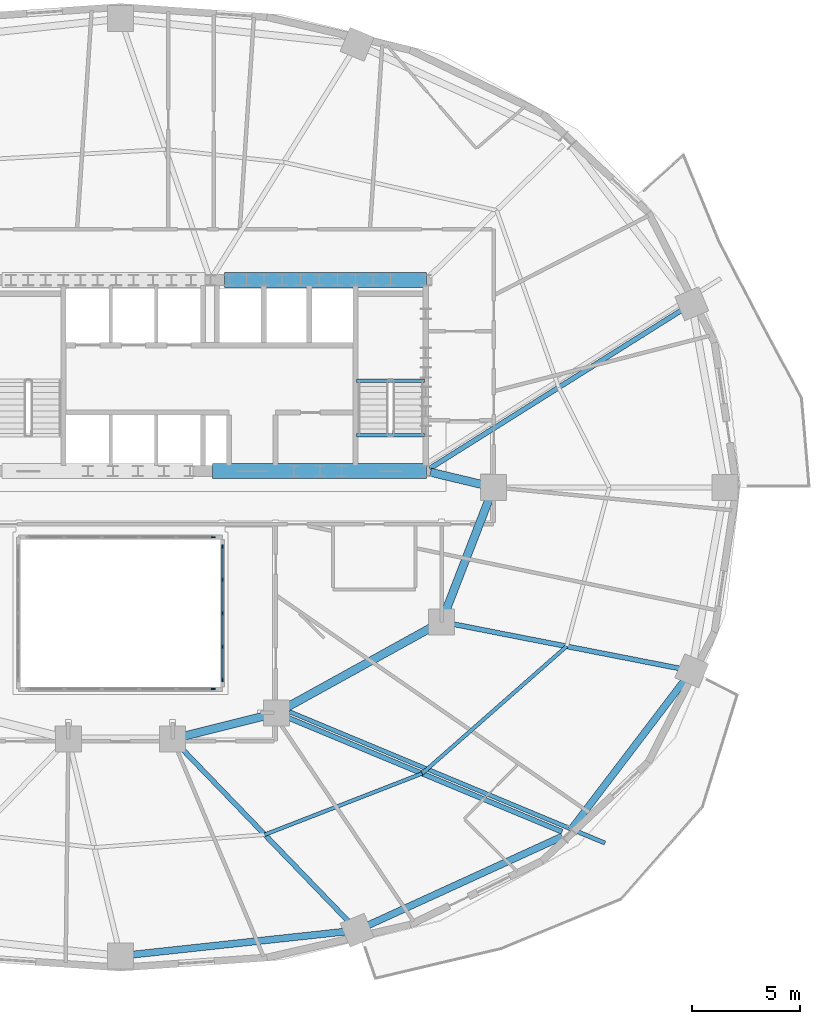
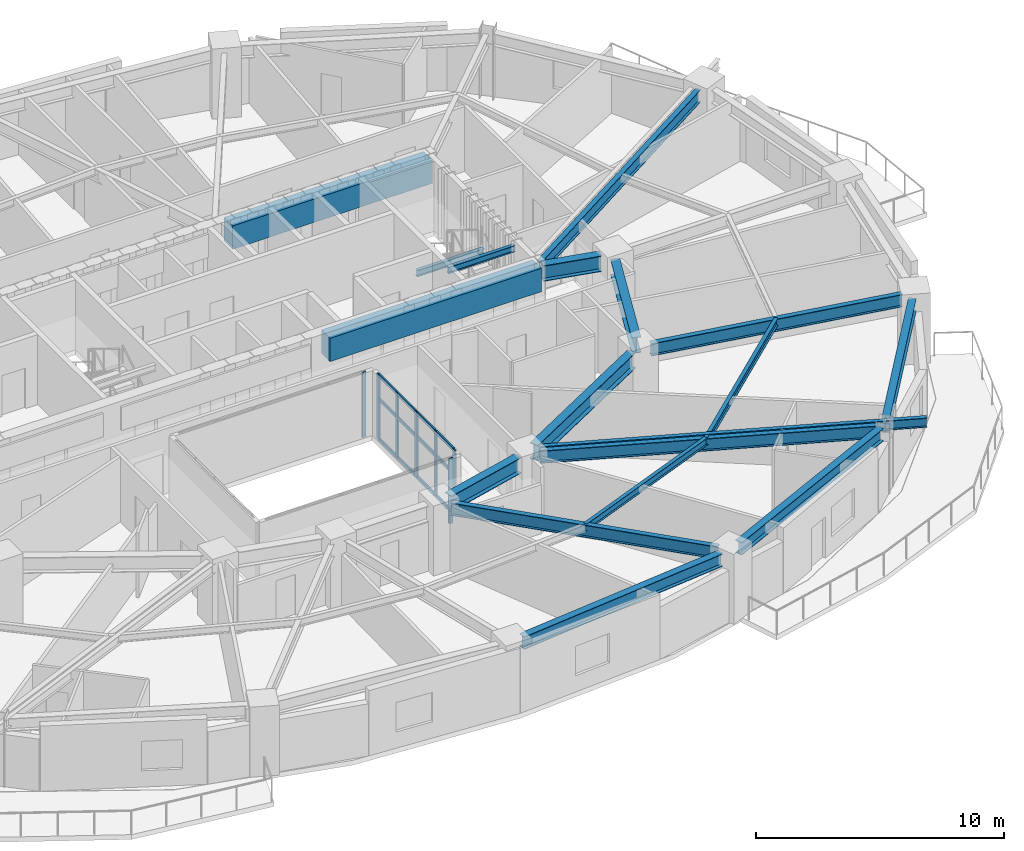
# One storey, part 4 of 14: 19 members, 18 beams, 3 elements without a shape of their own.
"""IFC4 building model written with IfcOpenShell, lengths in metres."""

from ifc_helpers import new_model, si_unit, direction, frame, origin, origin_2d, place, context, subcontext, project, spatial, rectangle, i_section, extrude, material, material_profile, profile_set, type_object, element, aggregate, save


model = new_model("IFC4")

# Units and contexts
model_context = context("Model", 3, precision=1e-05, world=origin(), true_north=direction((0.0, 1.0)))
body_context = subcontext(model_context, "Body", "Model", "MODEL_VIEW")
ifc_project = project(units=[si_unit("LENGTHUNIT", "METRE"), si_unit("AREAUNIT", "SQUARE_METRE"), si_unit("VOLUMEUNIT", "CUBIC_METRE"), si_unit("PLANEANGLEUNIT", "RADIAN"), si_unit("MASSUNIT", "GRAM", prefix="KILO")], contexts=[model_context])

# Site, building, storey
site_placement = place(None, origin())
site = spatial("IfcSite", under=ifc_project, at=site_placement, CompositionType="ELEMENT")
building_placement = place(site_placement, origin())
building = spatial("IfcBuilding", under=site, at=building_placement, Name="Haldorwick Loom Tower", CompositionType="ELEMENT")
storey_placement = place(building_placement, frame((0.0, 0.0, 99.050048828125)))
storey = spatial("IfcBuildingStorey", under=building, at=storey_placement, Name="L26", CompositionType="ELEMENT", Elevation=99.050048828125)

# Curtain wall, member
ifc_material_1 = material(Name="Thermally Broken Anodized Aluminium Curtain Wall Framing", Category="aluminium")
curtain_wall_type = type_object("IfcCurtainWallType", Name="ARC-CW-03", PredefinedType="NOTDEFINED", material=ifc_material_1)
curtain_wall_1_placement = place(storey_placement, origin())
curtain_wall_1 = element("IfcCurtainWall", 1, at=curtain_wall_1_placement, inside=storey, type_object=curtain_wall_type, Name="L26 Atrium Glazed Screen S", PredefinedType="NOTDEFINED")
ifc_material_profile_1 = material_profile(ifc_material_1, rectangle(XDim=0.06591796875, YDim=0.18505859375, at=origin_2d()), Name="ALU_MUL_66X185", Category="aluminium")
ifc_profile_set_1 = profile_set([ifc_material_profile_1], Name="Thermally Broken Anodized Aluminium Curtain Wall Framing")
member_type_1 = type_object("IfcMemberType", Name="ARC-CWM-03", PredefinedType="MULLION", material=ifc_profile_set_1)
member_1_placement = place(storey_placement, frame((40.26708984375, 16.699951171875, 0.0), z_axis=(0.0, 0.0, 1.0), x_axis=(0.0, -1.0, 0.0)))
member_1 = element("IfcMember", 2, at=member_1_placement, type_object=member_type_1, Name="CW-03 mullion 1", PredefinedType="MULLION", context=body_context, shape_type="SweptSolid", body=[
    extrude(rectangle(XDim=0.06591796875, YDim=0.18505859375, at=origin_2d()), origin(), (0.0, 0.0, 1.0), 3.2099609375),
])
aggregate(curtain_wall_1, [member_1])

curtain_wall_2_placement = place(storey_placement, origin())
curtain_wall_2 = element("IfcCurtainWall", 3, at=curtain_wall_2_placement, inside=storey, type_object=curtain_wall_type, Name="L26 Atrium Glazed Screen N", PredefinedType="NOTDEFINED")
member_2_placement = place(storey_placement, frame((40.26708984375, 23.699951171875, 0.0), z_axis=(0.0, 0.0, 1.0), x_axis=(0.0, 1.0, 0.0)))
member_2 = element("IfcMember", 4, at=member_2_placement, type_object=member_type_1, Name="CW-03 mullion 6", PredefinedType="MULLION", context=body_context, shape_type="SweptSolid", body=[
    extrude(rectangle(XDim=0.06591796875, YDim=0.18505859375, at=origin_2d()), origin(), (0.0, 0.0, 1.0), 3.2099609375),
])
aggregate(curtain_wall_2, [member_2])

# Curtain wall, members
curtain_wall_3_placement = place(storey_placement, origin())
curtain_wall_3 = element("IfcCurtainWall", 5, at=curtain_wall_3_placement, inside=storey, type_object=curtain_wall_type, Name="L26 Atrium Glazed Screen E", PredefinedType="NOTDEFINED")
member_3_placement = place(storey_placement, frame((40.699951171875, 23.26708984375, 0.0), z_axis=(0.0, 0.0, 1.0), x_axis=(1.0, 0.0, 0.0)))
member_3 = element("IfcMember", 6, at=member_3_placement, type_object=member_type_1, Name="CW-03 mullion 1", PredefinedType="MULLION", context=body_context, shape_type="SweptSolid", body=[
    extrude(rectangle(XDim=0.06591796875, YDim=0.18505859375, at=origin_2d()), origin(), (0.0, 0.0, 1.0), 3.2099609375),
])
member_4_placement = place(storey_placement, frame((40.699951171875, 21.75, 0.0), z_axis=(0.0, 0.0, 1.0), x_axis=(1.0, 0.0, 0.0)))
member_4 = element("IfcMember", 7, at=member_4_placement, type_object=member_type_1, Name="CW-03 mullion 2", PredefinedType="MULLION", context=body_context, shape_type="SweptSolid", body=[
    extrude(rectangle(XDim=0.06591796875, YDim=0.18505859375, at=origin_2d()), origin(), (0.0, 0.0, 1.0), 3.2099609375),
])
member_5_placement = place(storey_placement, frame((40.699951171875, 20.199951171875, 0.0), z_axis=(0.0, 0.0, 1.0), x_axis=(1.0, 0.0, 0.0)))
member_5 = element("IfcMember", 8, at=member_5_placement, type_object=member_type_1, Name="CW-03 mullion 3", PredefinedType="MULLION", context=body_context, shape_type="SweptSolid", body=[
    extrude(rectangle(XDim=0.06591796875, YDim=0.18505859375, at=origin_2d()), origin(), (0.0, 0.0, 1.0), 3.2099609375),
])
member_6_placement = place(storey_placement, frame((40.699951171875, 18.64990234375, 0.0), z_axis=(0.0, 0.0, 1.0), x_axis=(1.0, 0.0, 0.0)))
member_6 = element("IfcMember", 9, at=member_6_placement, type_object=member_type_1, Name="CW-03 mullion 4", PredefinedType="MULLION", context=body_context, shape_type="SweptSolid", body=[
    extrude(rectangle(XDim=0.06591796875, YDim=0.18505859375, at=origin_2d()), origin(), (0.0, 0.0, 1.0), 3.2099609375),
])
member_7_placement = place(storey_placement, frame((40.699951171875, 17.133056640625, 0.0), z_axis=(0.0, 0.0, 1.0), x_axis=(1.0, 0.0, 0.0)))
member_7 = element("IfcMember", 10, at=member_7_placement, type_object=member_type_1, Name="CW-03 mullion 5", PredefinedType="MULLION", context=body_context, shape_type="SweptSolid", body=[
    extrude(rectangle(XDim=0.06591796875, YDim=0.18505859375, at=origin_2d()), origin(), (0.0, 0.0, 1.0), 3.2099609375),
])
ifc_material_profile_2 = material_profile(ifc_material_1, rectangle(XDim=0.06591796875, YDim=0.1650390625, at=origin_2d()), Name="ALU_TRN_66X165", Category="aluminium")
ifc_profile_set_2 = profile_set([ifc_material_profile_2], Name="Thermally Broken Anodized Aluminium Curtain Wall Framing")
member_type_2 = type_object("IfcMemberType", Name="ARC-CWT-03", PredefinedType="USERDEFINED", material=ifc_profile_set_2)
member_8_placement = place(storey_placement, frame((40.699951171875, 23.23388671875, 0.032958984375), z_axis=(0.0, -1.0, 0.0), x_axis=(1.0, 0.0, 0.0)))
member_8 = element("IfcMember", 11, at=member_8_placement, type_object=member_type_2, Name="CW-03 transom 1.1", ObjectType="TRANSOM", PredefinedType="USERDEFINED", context=body_context, shape_type="SweptSolid", body=[
    extrude(rectangle(XDim=0.06591796875, YDim=0.1650390625, at=origin_2d()), origin(), (0.0, 0.0, 1.0), 1.450927734375),
])
member_9_placement = place(storey_placement, frame((40.699951171875, 23.23388671875, 2.0), z_axis=(0.0, -1.0, 0.0), x_axis=(1.0, 0.0, 0.0)))
member_9 = element("IfcMember", 12, at=member_9_placement, type_object=member_type_2, Name="CW-03 transom 1.2", ObjectType="TRANSOM", PredefinedType="USERDEFINED", context=body_context, shape_type="SweptSolid", body=[
    extrude(rectangle(XDim=0.06591796875, YDim=0.1650390625, at=origin_2d()), origin(), (0.0, 0.0, 1.0), 1.450927734375),
])
member_10_placement = place(storey_placement, frame((40.699951171875, 23.23388671875, 3.177001953125), z_axis=(0.0, -1.0, 0.0), x_axis=(1.0, 0.0, 0.0)))
member_10 = element("IfcMember", 13, at=member_10_placement, type_object=member_type_2, Name="CW-03 transom 1.3", ObjectType="TRANSOM", PredefinedType="USERDEFINED", context=body_context, shape_type="SweptSolid", body=[
    extrude(rectangle(XDim=0.06591796875, YDim=0.1650390625, at=origin_2d()), origin(), (0.0, 0.0, 1.0), 1.450927734375),
])
member_11_placement = place(storey_placement, frame((40.699951171875, 21.717041015625, 0.032958984375), z_axis=(0.0, -1.0, 0.0), x_axis=(1.0, 0.0, 0.0)))
member_11 = element("IfcMember", 14, at=member_11_placement, type_object=member_type_2, Name="CW-03 transom 2.1", ObjectType="TRANSOM", PredefinedType="USERDEFINED", context=body_context, shape_type="SweptSolid", body=[
    extrude(rectangle(XDim=0.06591796875, YDim=0.1650390625, at=origin_2d()), origin(), (0.0, 0.0, 1.0), 1.484130859375),
])
member_12_placement = place(storey_placement, frame((40.699951171875, 21.717041015625, 2.0), z_axis=(0.0, -1.0, 0.0), x_axis=(1.0, 0.0, 0.0)))
member_12 = element("IfcMember", 15, at=member_12_placement, type_object=member_type_2, Name="CW-03 transom 2.2", ObjectType="TRANSOM", PredefinedType="USERDEFINED", context=body_context, shape_type="SweptSolid", body=[
    extrude(rectangle(XDim=0.06591796875, YDim=0.1650390625, at=origin_2d()), origin(), (0.0, 0.0, 1.0), 1.484130859375),
])
member_13_placement = place(storey_placement, frame((40.699951171875, 21.717041015625, 3.177001953125), z_axis=(0.0, -1.0, 0.0), x_axis=(1.0, 0.0, 0.0)))
member_13 = element("IfcMember", 16, at=member_13_placement, type_object=member_type_2, Name="CW-03 transom 2.3", ObjectType="TRANSOM", PredefinedType="USERDEFINED", context=body_context, shape_type="SweptSolid", body=[
    extrude(rectangle(XDim=0.06591796875, YDim=0.1650390625, at=origin_2d()), origin(), (0.0, 0.0, 1.0), 1.484130859375),
])
member_14_placement = place(storey_placement, frame((40.699951171875, 20.1669921875, 0.032958984375), z_axis=(0.0, -1.0, 0.0), x_axis=(1.0, 0.0, 0.0)))
member_14 = element("IfcMember", 17, at=member_14_placement, type_object=member_type_2, Name="CW-03 transom 3.1", ObjectType="TRANSOM", PredefinedType="USERDEFINED", context=body_context, shape_type="SweptSolid", body=[
    extrude(rectangle(XDim=0.06591796875, YDim=0.1650390625, at=origin_2d()), origin(), (0.0, 0.0, 1.0), 1.48388671875),
])
member_15_placement = place(storey_placement, frame((40.699951171875, 20.1669921875, 2.0), z_axis=(0.0, -1.0, 0.0), x_axis=(1.0, 0.0, 0.0)))
member_15 = element("IfcMember", 18, at=member_15_placement, type_object=member_type_2, Name="CW-03 transom 3.2", ObjectType="TRANSOM", PredefinedType="USERDEFINED", context=body_context, shape_type="SweptSolid", body=[
    extrude(rectangle(XDim=0.06591796875, YDim=0.1650390625, at=origin_2d()), origin(), (0.0, 0.0, 1.0), 1.48388671875),
])
member_16_placement = place(storey_placement, frame((40.699951171875, 20.1669921875, 3.177001953125), z_axis=(0.0, -1.0, 0.0), x_axis=(1.0, 0.0, 0.0)))
member_16 = element("IfcMember", 19, at=member_16_placement, type_object=member_type_2, Name="CW-03 transom 3.3", ObjectType="TRANSOM", PredefinedType="USERDEFINED", context=body_context, shape_type="SweptSolid", body=[
    extrude(rectangle(XDim=0.06591796875, YDim=0.1650390625, at=origin_2d()), origin(), (0.0, 0.0, 1.0), 1.48388671875),
])
member_17_placement = place(storey_placement, frame((40.699951171875, 18.616943359375, 0.032958984375), z_axis=(0.0, -1.0, 0.0), x_axis=(1.0, 0.0, 0.0)))
member_17 = element("IfcMember", 20, at=member_17_placement, type_object=member_type_2, Name="CW-03 transom 4.1", ObjectType="TRANSOM", PredefinedType="USERDEFINED", context=body_context, shape_type="SweptSolid", body=[
    extrude(rectangle(XDim=0.06591796875, YDim=0.1650390625, at=origin_2d()), origin(), (0.0, 0.0, 1.0), 1.450927734375),
])
member_18_placement = place(storey_placement, frame((40.699951171875, 18.616943359375, 2.0), z_axis=(0.0, -1.0, 0.0), x_axis=(1.0, 0.0, 0.0)))
member_18 = element("IfcMember", 21, at=member_18_placement, type_object=member_type_2, Name="CW-03 transom 4.2", ObjectType="TRANSOM", PredefinedType="USERDEFINED", context=body_context, shape_type="SweptSolid", body=[
    extrude(rectangle(XDim=0.06591796875, YDim=0.1650390625, at=origin_2d()), origin(), (0.0, 0.0, 1.0), 1.450927734375),
])
member_19_placement = place(storey_placement, frame((40.699951171875, 18.616943359375, 3.177001953125), z_axis=(0.0, -1.0, 0.0), x_axis=(1.0, 0.0, 0.0)))
member_19 = element("IfcMember", 22, at=member_19_placement, type_object=member_type_2, Name="CW-03 transom 4.3", ObjectType="TRANSOM", PredefinedType="USERDEFINED", context=body_context, shape_type="SweptSolid", body=[
    extrude(rectangle(XDim=0.06591796875, YDim=0.1650390625, at=origin_2d()), origin(), (0.0, 0.0, 1.0), 1.450927734375),
])
aggregate(curtain_wall_3, [member_3, member_4, member_5, member_6, member_7, member_8, member_9, member_10, member_11, member_12, member_13, member_14, member_15, member_16, member_17, member_18, member_19])

# Beams
ifc_material_2 = material(Name="Steel CSA G40.21 350W", Category="steel")
ifc_material_profile_3 = material_profile(ifc_material_2, i_section(OverallWidth=0.193115234375, OverallDepth=0.466064453125, WebThickness=0.011474609375, FlangeThickness=0.01904296875, at=origin_2d()), Name="W460X97", Category="steel")
ifc_profile_set_3 = profile_set([ifc_material_profile_3], Name="Steel CSA G40.21 350W")
beam_type_1 = type_object("IfcBeamType", Name="STR-BM-BAL460", PredefinedType="BEAM", material=ifc_profile_set_3)
beam_1_placement = place(storey_placement, frame((43.78759765625, 15.65869140625, 2.97705078125), z_axis=(0.923187850755, -0.384349049976, 0.0), x_axis=(0.384349049976, 0.923187850755, 0.0)))
element("IfcBeam", 23, at=beam_1_placement, inside=storey, type_object=beam_type_1, Name="L26 Continuous Back-Spanned Balcony Beam 1", PredefinedType="BEAM", context=body_context, shape_type="SweptSolid", body=[
    extrude(i_section(OverallWidth=0.193115234375, OverallDepth=0.466064453125, WebThickness=0.011474609375, FlangeThickness=0.01904296875, at=origin_2d()), origin(), (0.0, 0.0, 1.0), 15.75244140625),
])
ifc_material_3 = material(Name="Concrete C60 (60 MPa)", Category="concrete")
ifc_material_profile_4 = material_profile(ifc_material_3, rectangle(XDim=0.699951171875, YDim=1.14990234375, at=origin_2d()), Name="RC700X1150", Category="concrete")
ifc_profile_set_4 = profile_set([ifc_material_profile_4], Name="Concrete C60 (60 MPa)")
beam_type_2 = type_object("IfcBeamType", Name="STR-BM-CB1150", PredefinedType="LINTEL", material=ifc_profile_set_4)
beam_2_placement = place(storey_placement, frame((40.800048828125, 35.550048828125, 2.635009765625), z_axis=(1.0, 0.0, 0.0), x_axis=(0.0, 1.0, 0.0)))
element("IfcBeam", 24, at=beam_2_placement, inside=storey, type_object=beam_type_2, Name="L26 Core Coupling Beam CB-N3", PredefinedType="LINTEL", context=body_context, shape_type="SweptSolid", body=[
    extrude(rectangle(XDim=0.699951171875, YDim=1.14990234375, at=origin_2d()), origin(), (0.0, 0.0, 1.0), 9.300048828125),
])
beam_3_placement = place(storey_placement, frame((40.25, 26.75, 2.635009765625), z_axis=(1.0, 0.0, 0.0), x_axis=(0.0, 1.0, 0.0)))
element("IfcBeam", 25, at=beam_3_placement, inside=storey, type_object=beam_type_2, Name="L26 Core Coupling Beam CB-S3", PredefinedType="LINTEL", context=body_context, shape_type="SweptSolid", body=[
    extrude(rectangle(XDim=0.699951171875, YDim=1.14990234375, at=origin_2d()), origin(), (0.0, 0.0, 1.0), 9.85009765625),
])
ifc_material_profile_5 = material_profile(ifc_material_2, i_section(OverallWidth=0.172119140625, OverallDepth=0.35791015625, WebThickness=0.0078125, FlangeThickness=0.01318359375, at=origin_2d()), Name="W360X57", Category="steel")
ifc_profile_set_5 = profile_set([ifc_material_profile_5], Name="Steel CSA G40.21 350W")
beam_type_3 = type_object("IfcBeamType", Name="STR-BM-J360", PredefinedType="JOIST", material=ifc_profile_set_5)
beam_4_placement = place(storey_placement, frame((42.6533203125, 9.9912109375, 3.031005859375), z_axis=(0.932072983051, 0.362270553959, 0.0), x_axis=(-0.362270553959, 0.932072983051, 0.0)))
element("IfcBeam", 26, at=beam_4_placement, inside=storey, type_object=beam_type_3, Name="L26 Mid-Bay Secondary Joist 14", PredefinedType="JOIST", context=body_context, shape_type="SweptSolid", body=[
    extrude(i_section(OverallWidth=0.172119140625, OverallDepth=0.35791015625, WebThickness=0.0078125, FlangeThickness=0.01318359375, at=origin_2d()), origin(), (0.0, 0.0, 1.0), 7.7783203125),
])
beam_5_placement = place(storey_placement, frame((49.9033203125, 12.80908203125, 3.031005859375), z_axis=(0.750721157729, 0.660619212057, 0.0), x_axis=(-0.660619212057, 0.750721157729, 0.0)))
element("IfcBeam", 27, at=beam_5_placement, inside=storey, type_object=beam_type_3, Name="L26 Mid-Bay Secondary Joist 15", PredefinedType="JOIST", context=body_context, shape_type="SweptSolid", body=[
    extrude(i_section(OverallWidth=0.172119140625, OverallDepth=0.35791015625, WebThickness=0.0078125, FlangeThickness=0.01318359375, at=origin_2d()), origin(), (0.0, 0.0, 1.0), 8.8740234375),
])
ifc_material_profile_6 = material_profile(ifc_material_2, i_section(OverallWidth=0.324951171875, OverallDepth=0.615966796875, WebThickness=0.013916015625, FlangeThickness=0.021484375, at=origin_2d()), Name="W610X174", Category="steel")
ifc_profile_set_6 = profile_set([ifc_material_profile_6], Name="Steel CSA G40.21 350W")
beam_type_4 = type_object("IfcBeamType", Name="STR-BM-SP610", PredefinedType="SPANDREL", material=ifc_profile_set_6)
beam_6_placement = place(storey_placement, frame((36.51708984375, 4.45751953125, 2.90185546875), z_axis=(0.994190135627, 0.107638163409, 0.0), x_axis=(-0.107638163409, 0.994190135627, 0.0)))
element("IfcBeam", 28, at=beam_6_placement, inside=storey, type_object=beam_type_4, Name="L26 Perimeter Spandrel 13", PredefinedType="SPANDREL", context=body_context, shape_type="SweptSolid", body=[
    extrude(i_section(OverallWidth=0.324951171875, OverallDepth=0.615966796875, WebThickness=0.013916015625, FlangeThickness=0.021484375, at=origin_2d()), origin(), (0.0, 0.0, 1.0), 9.929931640625),
])
beam_7_placement = place(storey_placement, frame((47.37939453125, 5.798583984375, 2.90185546875), z_axis=(0.909423969306, 0.415870225011, 0.0), x_axis=(-0.415870225011, 0.909423969306, 0.0)))
element("IfcBeam", 29, at=beam_7_placement, inside=storey, type_object=beam_type_4, Name="L26 Perimeter Spandrel 14", PredefinedType="SPANDREL", context=body_context, shape_type="SweptSolid", body=[
    extrude(i_section(OverallWidth=0.324951171875, OverallDepth=0.615966796875, WebThickness=0.013916015625, FlangeThickness=0.021484375, at=origin_2d()), origin(), (0.0, 0.0, 1.0), 9.871337890625),
])
beam_8_placement = place(storey_placement, frame((56.773193359375, 10.2373046875, 2.90185546875), z_axis=(0.605453508047, 0.795880675475, 0.0), x_axis=(-0.795880675475, 0.605453508047, 0.0)))
element("IfcBeam", 30, at=beam_8_placement, inside=storey, type_object=beam_type_4, Name="L26 Perimeter Spandrel 15", PredefinedType="SPANDREL", context=body_context, shape_type="SweptSolid", body=[
    extrude(i_section(OverallWidth=0.324951171875, OverallDepth=0.615966796875, WebThickness=0.013916015625, FlangeThickness=0.021484375, at=origin_2d()), origin(), (0.0, 0.0, 1.0), 8.6591796875),
])
ifc_material_profile_7 = material_profile(ifc_material_2, i_section(OverallWidth=0.166015625, OverallDepth=0.31298828125, WebThickness=0.006591796875, FlangeThickness=0.01123046875, at=origin_2d()), Name="W310X45", Category="steel")
ifc_profile_set_7 = profile_set([ifc_material_profile_7], Name="Steel CSA G40.21 350W")
beam_type_5 = type_object("IfcBeamType", Name="STR-BM-STRM", PredefinedType="BEAM", material=ifc_profile_set_7)
for number, where, z_axis, x_axis, name in (
    (31, (46.889892578125, 28.39990234375, 3.053466796875), (1.0, 0.0, 0.0), (0.0, 1.0, 0.0), "L26 Stair ST-02 Landing Edge Trimmer"),
    (32, (46.889892578125, 30.919921875, 1.368408203125), (1.0, 0.0, 0.0), (0.0, 1.0, 0.0), "L26 Stair ST-02 Half-Landing Trimmer 1"),
):
    element("IfcBeam", number, at=place(storey_placement, frame(where, z_axis=z_axis, x_axis=x_axis)), inside=storey, type_object=beam_type_5, Name=name, PredefinedType="BEAM", context=body_context, shape_type="SweptSolid", body=[
        extrude(i_section(OverallWidth=0.166015625, OverallDepth=0.31298828125, WebThickness=0.006591796875, FlangeThickness=0.01123046875, at=origin_2d()), origin(), (0.0, 0.0, 1.0), 3.1201171875),
    ])
ifc_material_profile_8 = material_profile(ifc_material_2, i_section(OverallWidth=0.22998046875, OverallDepth=0.616943359375, WebThickness=0.01318359375, FlangeThickness=0.022216796875, at=origin_2d()), Name="W610X140", Category="steel")
ifc_profile_set_8 = profile_set([ifc_material_profile_8], Name="Steel CSA G40.21 350W")
beam_type_6 = type_object("IfcBeamType", Name="STR-BM-W610B", PredefinedType="BEAM", material=ifc_profile_set_8)
beam_9_placement = place(storey_placement, frame((50.260498046875, 26.86962890625, 2.9013671875), z_axis=(0.846609551433, 0.532214493811, 0.0), x_axis=(-0.532214493811, 0.846609551433, 0.0)))
element("IfcBeam", 33, at=beam_9_placement, inside=storey, type_object=beam_type_6, Name="L26 Radial Floor Girder 2", PredefinedType="BEAM", context=body_context, shape_type="SweptSolid", body=[
    extrude(i_section(OverallWidth=0.22998046875, OverallDepth=0.616943359375, WebThickness=0.01318359375, FlangeThickness=0.022216796875, at=origin_2d()), origin(), (0.0, 0.0, 1.0), 13.737060546875),
])
beam_10_placement = place(storey_placement, frame((38.760986328125, 14.02587890625, 2.9013671875), z_axis=(0.694287071595, -0.719698174387, 0.0), x_axis=(0.719698174387, 0.694287071595, 0.0)))
element("IfcBeam", 34, at=beam_10_placement, inside=storey, type_object=beam_type_6, Name="L26 Radial Floor Girder 14", PredefinedType="BEAM", context=body_context, shape_type="SweptSolid", body=[
    extrude(i_section(OverallWidth=0.22998046875, OverallDepth=0.616943359375, WebThickness=0.01318359375, FlangeThickness=0.022216796875, at=origin_2d()), origin(), (0.0, 0.0, 1.0), 11.212158203125),
])
beam_11_placement = place(storey_placement, frame((43.68017578125, 15.400146484375, 2.9013671875), z_axis=(0.923183704764, -0.384359008297, 0.0), x_axis=(0.384359008297, 0.923183704764, 0.0)))
element("IfcBeam", 35, at=beam_11_placement, inside=storey, type_object=beam_type_6, Name="L26 Radial Floor Girder 15", PredefinedType="BEAM", context=body_context, shape_type="SweptSolid", body=[
    extrude(i_section(OverallWidth=0.22998046875, OverallDepth=0.616943359375, WebThickness=0.01318359375, FlangeThickness=0.022216796875, at=origin_2d()), origin(), (0.0, 0.0, 1.0), 13.72705078125),
])
beam_12_placement = place(storey_placement, frame((51.310302734375, 19.7001953125, 2.9013671875), z_axis=(0.981369581426, -0.192129499692, 0.0), x_axis=(0.192129499692, 0.981369581426, 0.0)))
element("IfcBeam", 36, at=beam_12_placement, inside=storey, type_object=beam_type_6, Name="L26 Radial Floor Girder 16", PredefinedType="BEAM", context=body_context, shape_type="SweptSolid", body=[
    extrude(i_section(OverallWidth=0.22998046875, OverallDepth=0.616943359375, WebThickness=0.01318359375, FlangeThickness=0.022216796875, at=origin_2d()), origin(), (0.0, 0.0, 1.0), 10.70947265625),
])
ifc_material_profile_9 = material_profile(ifc_material_2, i_section(OverallWidth=0.381103515625, OverallDepth=0.77294921875, WebThickness=0.0166015625, FlangeThickness=0.027587890625, at=origin_2d()), Name="W760X257", Category="steel")
ifc_profile_set_9 = profile_set([ifc_material_profile_9], Name="Steel CSA G40.21 350W")
beam_type_7 = type_object("IfcBeamType", Name="STR-BM-W760", PredefinedType="BEAM", material=ifc_profile_set_9)
beam_13_placement = place(storey_placement, frame((50.288818359375, 26.697509765625, 2.823486328125), z_axis=(0.97247055837, -0.233025777764, 0.0), x_axis=(0.233025777764, 0.97247055837, 0.0)))
element("IfcBeam", 37, at=beam_13_placement, inside=storey, type_object=beam_type_7, Name="L26 Inner Ring Girder 1", PredefinedType="BEAM", context=body_context, shape_type="SweptSolid", body=[
    extrude(i_section(OverallWidth=0.381103515625, OverallDepth=0.77294921875, WebThickness=0.0166015625, FlangeThickness=0.027587890625, at=origin_2d()), origin(), (0.0, 0.0, 1.0), 2.4736328125),
])
beam_14_placement = place(storey_placement, frame((53.01220703125, 25.51513671875, 2.823486328125), z_axis=(-0.360964792353, -0.93257944363, 0.0), x_axis=(0.93257944363, -0.360964792353, 0.0)))
element("IfcBeam", 38, at=beam_14_placement, inside=storey, type_object=beam_type_7, Name="L26 Inner Ring Girder 2", PredefinedType="BEAM", context=body_context, shape_type="SweptSolid", body=[
    extrude(i_section(OverallWidth=0.381103515625, OverallDepth=0.77294921875, WebThickness=0.0166015625, FlangeThickness=0.027587890625, at=origin_2d()), origin(), (0.0, 0.0, 1.0), 5.6083984375),
])
beam_15_placement = place(storey_placement, frame((50.344970703125, 19.548583984375, 2.823486328125), z_axis=(-0.875244382146, -0.483680960471, 0.0), x_axis=(0.483680960471, -0.875244382146, 0.0)))
element("IfcBeam", 39, at=beam_15_placement, inside=storey, type_object=beam_type_7, Name="L26 Inner Ring Girder 3", PredefinedType="BEAM", context=body_context, shape_type="SweptSolid", body=[
    extrude(i_section(OverallWidth=0.381103515625, OverallDepth=0.77294921875, WebThickness=0.0166015625, FlangeThickness=0.027587890625, at=origin_2d()), origin(), (0.0, 0.0, 1.0), 7.6435546875),
])
beam_16_placement = place(storey_placement, frame((42.695556640625, 15.473876953125, 2.823486328125), z_axis=(-0.970142500145, -0.242535625036, 0.0), x_axis=(0.242535625036, -0.970142500145, 0.0)))
element("IfcBeam", 40, at=beam_16_placement, inside=storey, type_object=beam_type_7, Name="L26 Inner Ring Girder 4", PredefinedType="BEAM", context=body_context, shape_type="SweptSolid", body=[
    extrude(i_section(OverallWidth=0.381103515625, OverallDepth=0.77294921875, WebThickness=0.0166015625, FlangeThickness=0.027587890625, at=origin_2d()), origin(), (0.0, 0.0, 1.0), 3.90771484375),
])

save(model, "model.ifc")
